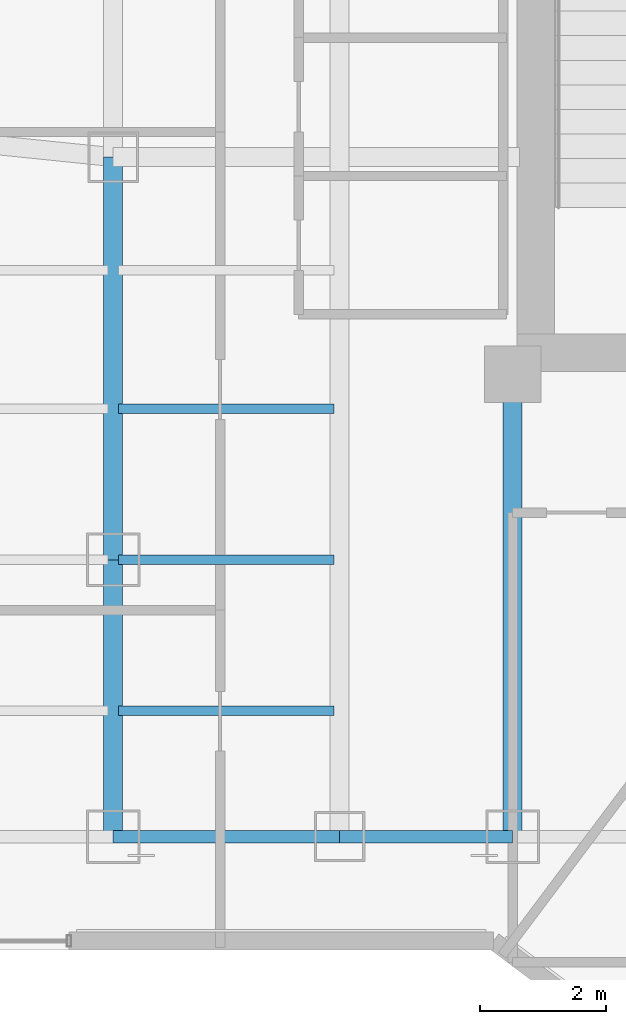
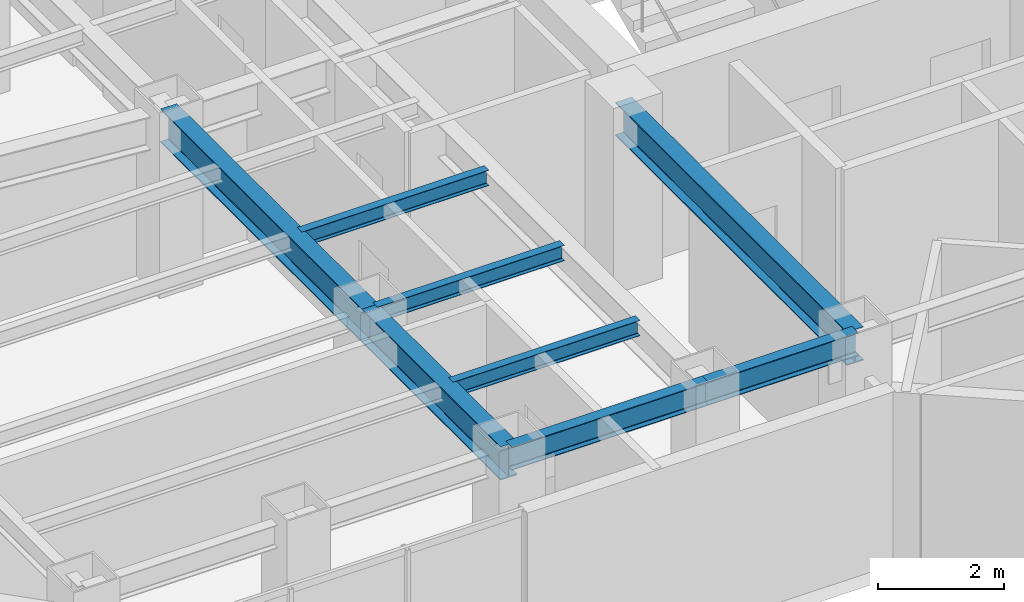
# One storey, part 5 of 27: 8 beams.
"""IFC4 building model written with IfcOpenShell, lengths in metres."""

from ifc_helpers import new_model, si_unit, direction, frame, origin, origin_2d, place, context, subcontext, project, spatial, i_section, extrude, material, material_profile, profile_set, type_object, element, save


model = new_model("IFC4")

# Units and contexts
model_context = context("Model", 3, precision=1e-05, world=origin(), true_north=direction((0.0, 1.0)))
body_context = subcontext(model_context, "Body", "Model", "MODEL_VIEW")
ifc_project = project(units=[si_unit("LENGTHUNIT", "METRE"), si_unit("AREAUNIT", "SQUARE_METRE"), si_unit("VOLUMEUNIT", "CUBIC_METRE"), si_unit("PLANEANGLEUNIT", "RADIAN"), si_unit("MASSUNIT", "GRAM", prefix="KILO")], contexts=[model_context])

# Site, building, storey
site_placement = place(None, origin())
site = spatial("IfcSite", under=ifc_project, at=site_placement, CompositionType="ELEMENT")
building_placement = place(site_placement, origin())
building = spatial("IfcBuilding", under=site, at=building_placement, Name="Hatsunagi Terrace Concourse", CompositionType="ELEMENT")
storey_placement = place(building_placement, frame((0.0, 0.0, 142.050048828125)))
storey = spatial("IfcBuildingStorey", under=building, at=storey_placement, Name="L37", CompositionType="ELEMENT", Elevation=142.050048828125)

# Beams
ifc_material_1 = material(Name="Steel SN490B", Category="steel")
ifc_material_profile_1 = material_profile(ifc_material_1, i_section(OverallWidth=0.14990234375, OverallDepth=0.300048828125, WebThickness=0.006591796875, FlangeThickness=0.009033203125, FilletRadius=0.010986328125, at=origin_2d()), Name="H-300x150x6.5x9")
ifc_profile_set_1 = profile_set([ifc_material_profile_1], Name="Steel SN490B")
beam_type_1 = type_object("IfcBeamType", Name="OfficeJoist_H_300x150", PredefinedType="JOIST", material=ifc_profile_set_1)
for number, where, z_axis, x_axis, name in (
    (1, (19.284912109375, 27.199951171875, 3.199951171875), (1.0, 0.0, 0.0), (0.0, 1.0, 0.0), "Beam J-03 J-L37-W-19-272"),
    (2, (19.284912109375, 29.60009765625, 3.199951171875), (1.0, 0.0, 0.0), (0.0, 1.0, 0.0), "Beam J-03 J-L37-W-19-296"),
    (3, (19.284912109375, 32.0, 3.199951171875), (1.0, 0.0, 0.0), (0.0, 1.0, 0.0), "Beam J-03 J-L37-W-19-320"),
):
    element("IfcBeam", number, at=place(storey_placement, frame(where, z_axis=z_axis, x_axis=x_axis)), inside=storey, type_object=beam_type_1, Name=name, PredefinedType="JOIST", context=body_context, shape_type="SweptSolid", body=[
        extrude(i_section(OverallWidth=0.14990234375, OverallDepth=0.300048828125, WebThickness=0.006591796875, FlangeThickness=0.009033203125, FilletRadius=0.010986328125, at=origin_2d()), origin(), (0.0, 0.0, 1.0), 3.43017578125),
    ])
ifc_material_2 = material(Name="Steel SN490B", Category="steel")
ifc_material_profile_2 = material_profile(ifc_material_2, i_section(OverallWidth=0.300048828125, OverallDepth=0.64990234375, WebThickness=0.012939453125, FlangeThickness=0.02197265625, FilletRadius=0.01806640625, at=origin_2d()), Name="H-650x300x13x22")
ifc_profile_set_2 = profile_set([ifc_material_profile_2], Name="Steel SN490B")
beam_type_2 = type_object("IfcBeamType", Name="OfficeLowGirder_H_650x300", PredefinedType="BEAM", material=ifc_profile_set_2)
beam_1_placement = place(storey_placement, frame((25.550048828125, 25.199951171875, 3.02490234375), z_axis=(0.0, 1.0, 0.0), x_axis=(-1.0, 0.0, 0.0)))
element("IfcBeam", 4, at=beam_1_placement, inside=storey, type_object=beam_type_2, Name="Beam G-05 BM-L37-K1CA", PredefinedType="BEAM", context=body_context, shape_type="SweptSolid", body=[
    extrude(i_section(OverallWidth=0.300048828125, OverallDepth=0.64990234375, WebThickness=0.012939453125, FlangeThickness=0.02197265625, FilletRadius=0.01806640625, at=origin_2d()), origin(), (0.0, 0.0, 1.0), 7.35009765625),
])
beam_2_placement = place(storey_placement, frame((19.199951171875, 25.199951171875, 3.02490234375), z_axis=(0.0, 1.0, 0.0), x_axis=(-1.0, 0.0, 0.0)))
element("IfcBeam", 5, at=beam_2_placement, inside=storey, type_object=beam_type_2, Name="Beam G-05 BM-L37-NS-19-25", PredefinedType="BEAM", context=body_context, shape_type="SweptSolid", body=[
    extrude(i_section(OverallWidth=0.300048828125, OverallDepth=0.64990234375, WebThickness=0.012939453125, FlangeThickness=0.02197265625, FilletRadius=0.01806640625, at=origin_2d()), origin(), (0.0, 0.0, 1.0), 4.400146484375),
])
beam_3_placement = place(storey_placement, frame((19.199951171875, 29.60009765625, 3.02490234375), z_axis=(0.0, 1.0, 0.0), x_axis=(-1.0, 0.0, 0.0)))
element("IfcBeam", 6, at=beam_3_placement, inside=storey, type_object=beam_type_2, Name="Beam G-05 BM-L37-NS-19-29", PredefinedType="BEAM", context=body_context, shape_type="SweptSolid", body=[
    extrude(i_section(OverallWidth=0.300048828125, OverallDepth=0.64990234375, WebThickness=0.012939453125, FlangeThickness=0.02197265625, FilletRadius=0.01806640625, at=origin_2d()), origin(), (0.0, 0.0, 1.0), 6.39990234375),
])
ifc_material_3 = material(Name="Steel SN490B", Category="steel")
ifc_material_profile_3 = material_profile(ifc_material_3, i_section(OverallWidth=0.199951171875, OverallDepth=0.449951171875, WebThickness=0.009033203125, FlangeThickness=0.013916015625, FilletRadius=0.01611328125, at=origin_2d()), Name="H-450x200x9x14")
ifc_profile_set_3 = profile_set([ifc_material_profile_3], Name="Steel SN490B")
beam_type_3 = type_object("IfcBeamType", Name="PerimeterSpandrel_H_450x200", PredefinedType="SPANDREL", material=ifc_profile_set_3)
beam_4_placement = place(storey_placement, frame((19.199951171875, 25.199951171875, 3.125), z_axis=(1.0, 0.0, 0.0), x_axis=(0.0, 1.0, 0.0)))
element("IfcBeam", 7, at=beam_4_placement, inside=storey, type_object=beam_type_3, Name="Beam SP-02 BM-L37-WS-19", PredefinedType="SPANDREL", context=body_context, shape_type="SweptSolid", body=[
    extrude(i_section(OverallWidth=0.199951171875, OverallDepth=0.449951171875, WebThickness=0.009033203125, FlangeThickness=0.013916015625, FilletRadius=0.01611328125, at=origin_2d()), origin(), (0.0, 0.0, 1.0), 3.60009765625),
])
beam_5_placement = place(storey_placement, frame((22.800048828125, 25.199951171875, 3.125), z_axis=(1.0, 0.0, 0.0), x_axis=(0.0, 1.0, 0.0)))
element("IfcBeam", 8, at=beam_5_placement, inside=storey, type_object=beam_type_3, Name="Beam SP-02 BM-L37-WS-22", PredefinedType="SPANDREL", context=body_context, shape_type="SweptSolid", body=[
    extrude(i_section(OverallWidth=0.199951171875, OverallDepth=0.449951171875, WebThickness=0.009033203125, FlangeThickness=0.013916015625, FilletRadius=0.01611328125, at=origin_2d()), origin(), (0.0, 0.0, 1.0), 2.75),
])

save(model, "model.ifc")
